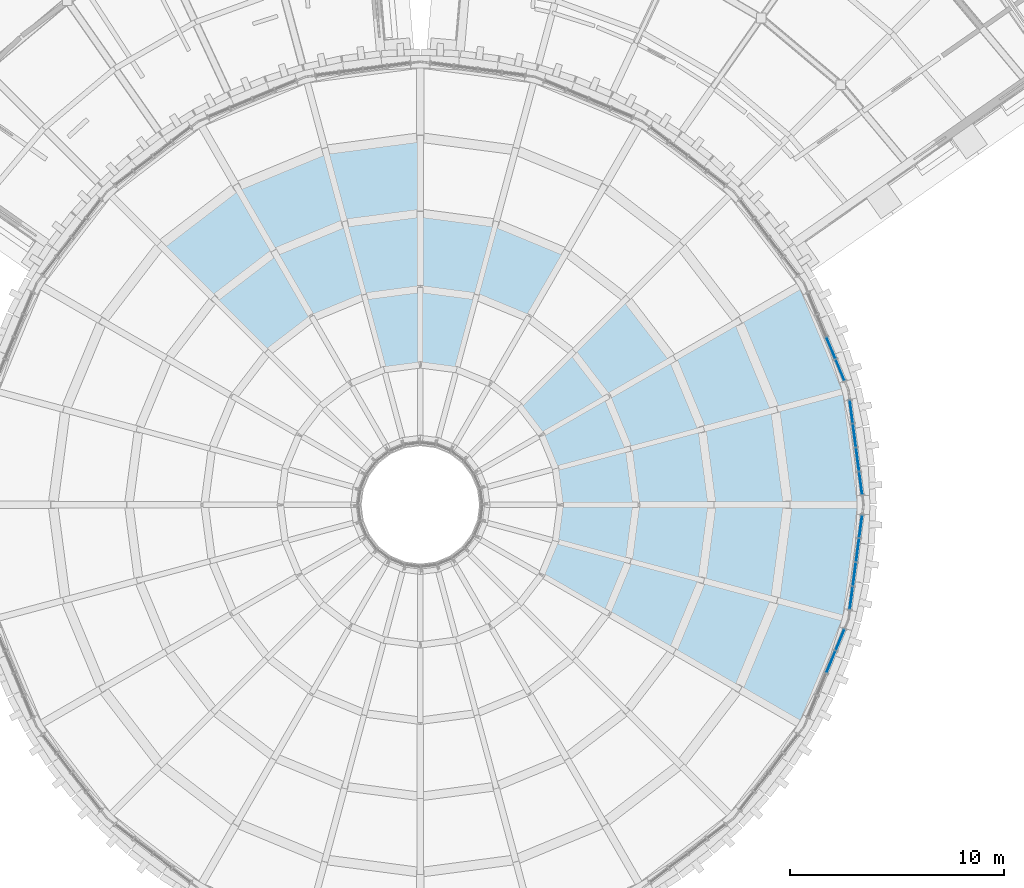
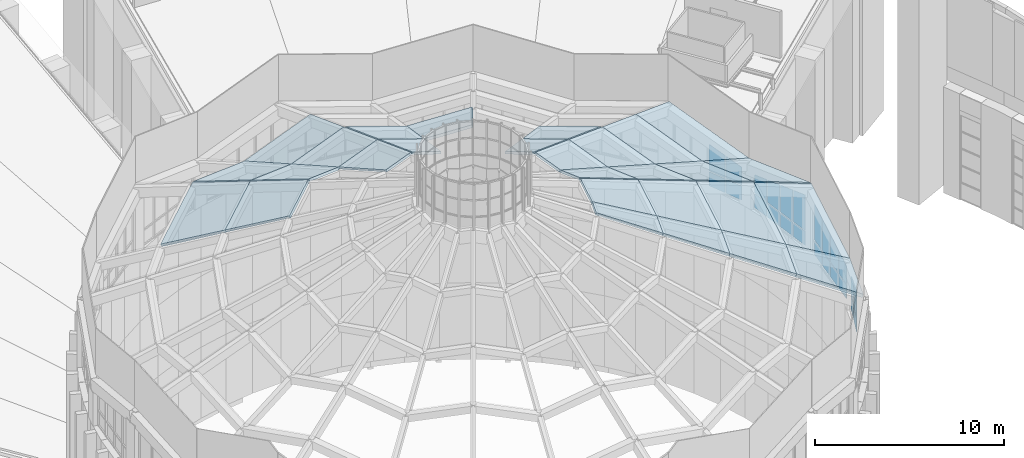
# One storey, part 43 of 82: 28 slabs, 24 plates, 5 elements without a shape of their own.
"""IFC4 building model written with IfcOpenShell, lengths in metres."""

from ifc_helpers import new_model, si_unit, direction, frame, origin, origin_2d, place, context, subcontext, project, spatial, polyline, rectangle, outline, extrude, material, layer, layer_set, type_object, element, aggregate, save


model = new_model("IFC4")

# Units and contexts
model_context = context("Model", 3, precision=1e-05, world=origin(), true_north=direction((0.0, 1.0)))
body_context = subcontext(model_context, "Body", "Model", "MODEL_VIEW")
ifc_project = project(units=[si_unit("LENGTHUNIT", "METRE"), si_unit("AREAUNIT", "SQUARE_METRE"), si_unit("VOLUMEUNIT", "CUBIC_METRE"), si_unit("PLANEANGLEUNIT", "RADIAN"), si_unit("MASSUNIT", "GRAM", prefix="KILO")], contexts=[model_context])

# Site, building, storey
site_placement = place(None, origin())
site = spatial("IfcSite", under=ifc_project, at=site_placement, CompositionType="ELEMENT")
building_placement = place(site_placement, origin())
building = spatial("IfcBuilding", under=site, at=building_placement, Name="Volute Hill Aquarium", CompositionType="ELEMENT")
storey_placement = place(building_placement, frame((0.0, 0.0, 13.800048828125)))
storey = spatial("IfcBuildingStorey", under=building, at=storey_placement, Name="L04", CompositionType="ELEMENT", Elevation=13.800048828125)

# Curtain wall, plates
ifc_material_1 = material(Name="Aluminium", Category="aluminium")
ifc_layer_1 = layer(ifc_material_1, 0.219970703125)
ifc_layer_set_1 = layer_set([ifc_layer_1], Name="Curtain wall DR clerestory module 1134")
curtain_wall_type = type_object("IfcCurtainWallType", Name="Curtain wall DR clerestory module 1134", PredefinedType="NOTDEFINED", material=ifc_layer_set_1)
curtain_wall_1_placement = place(storey_placement, origin())
curtain_wall_1 = element("IfcCurtainWall", 1, at=curtain_wall_1_placement, inside=storey, type_object=curtain_wall_type, Name="Curtain wall CW DR clerestory c00", PredefinedType="NOTDEFINED")
ifc_material_2 = material(Name="Glass, low-iron laminated", Category="glass")
ifc_layer_2 = layer(ifc_material_2, 0.035888671875)
ifc_layer_set_2 = layer_set([ifc_layer_2], Name="Curtain wall glass panel clerestory 36")
plate_type = type_object("IfcPlateType", Name="Curtain wall glass panel clerestory 36", PredefinedType="CURTAIN_PANEL", material=ifc_layer_set_2)
plate_1_placement = place(storey_placement, frame((20.567138671875, 1.009765625, 13.77001953125), z_axis=(0.0, 0.0, 1.0), x_axis=(-0.130518657667, 0.991445853287, 0.0)))
plate_1 = element("IfcPlate", 2, at=plate_1_placement, type_object=plate_type, Name="Panel DR clerestory 1.1", PredefinedType="CURTAIN_PANEL", context=body_context, shape_type="SweptSolid", body=[
    extrude(rectangle(XDim=1.029052734375, YDim=0.035888671875, at=origin_2d()), origin(), (0.0, 0.0, 1.0), 0.89501953125),
])
plate_2_placement = place(storey_placement, frame((20.652099609375, 0.501953125, 14.73486328125), z_axis=(0.991450257528, 0.130485197808, 0.0), x_axis=(-0.130485197808, 0.991450257528, 0.0)))
plate_2 = element("IfcPlate", 3, at=plate_2_placement, type_object=plate_type, Name="Panel DR clerestory 1.2", PredefinedType="CURTAIN_PANEL", context=body_context, shape_type="SweptSolid", body=[
    extrude(outline(polyline([(0.0, 0.0), (1.0290618859876277, 0.0), (1.0290618859876277, 2.0251464843750004), (0.0, 2.2917480468750004), (0.0, 0.0)])), origin(), (0.0, 0.0, -1.0), 0.035888671875),
])
plate_3_placement = place(storey_placement, frame((20.42138671875, 2.11669921875, 13.77001953125), z_axis=(0.0, 0.0, 1.0), x_axis=(-0.130518657667, 0.991445853287, 0.0)))
plate_3 = element("IfcPlate", 4, at=plate_3_placement, type_object=plate_type, Name="Panel DR clerestory 2.1", PredefinedType="CURTAIN_PANEL", context=body_context, shape_type="SweptSolid", body=[
    extrude(rectangle(XDim=1.06396484375, YDim=0.035888671875, at=origin_2d()), origin(), (0.0, 0.0, 1.0), 0.89501953125),
])
plate_4_placement = place(storey_placement, frame((20.508544921875, 1.591552734375, 14.73486328125), z_axis=(0.991441014026, 0.1305554124, 0.0), x_axis=(-0.1305554124, 0.991441014026, 0.0)))
plate_4 = element("IfcPlate", 5, at=plate_4_placement, type_object=plate_type, Name="Panel DR clerestory 2.2", PredefinedType="CURTAIN_PANEL", context=body_context, shape_type="SweptSolid", body=[
    extrude(outline(polyline([(0.0, 0.0), (1.0640387332183352, 0.0), (1.0640387332183352, 1.7314453125), (0.0, 2.007080078125), (0.0, 0.0)])), origin(), (0.0, 0.0, -1.0), 0.035888671875),
])
plate_5_placement = place(storey_placement, frame((20.2734375, 3.240966796875, 13.77001953125), z_axis=(0.0, 0.0, 1.0), x_axis=(-0.130518657667, 0.991445853287, 0.0)))
plate_5 = element("IfcPlate", 6, at=plate_5_placement, type_object=plate_type, Name="Panel DR clerestory 3.1", PredefinedType="CURTAIN_PANEL", context=body_context, shape_type="SweptSolid", body=[
    extrude(rectangle(XDim=1.06396484375, YDim=0.035888671875, at=origin_2d()), origin(), (0.0, 0.0, 1.0), 0.89501953125),
])
plate_6_placement = place(storey_placement, frame((20.360595703125, 2.7158203125, 14.73486328125), z_axis=(0.991441014026, 0.1305554124, 0.0), x_axis=(-0.1305554124, 0.991441014026, 0.0)))
plate_6 = element("IfcPlate", 7, at=plate_6_placement, type_object=plate_type, Name="Panel DR clerestory 3.2", PredefinedType="CURTAIN_PANEL", context=body_context, shape_type="SweptSolid", body=[
    extrude(outline(polyline([(0.0, 0.0), (1.0640387332183354, 0.0), (1.0640387332183354, 1.437744140625), (0.0, 1.71337890625), (0.0, 0.0)])), origin(), (0.0, 0.0, -1.0), 0.035888671875),
])
plate_7_placement = place(storey_placement, frame((20.127685546875, 4.347900390625, 13.77001953125), z_axis=(0.0, 0.0, 1.0), x_axis=(-0.130518657667, 0.991445853287, 0.0)))
plate_7 = element("IfcPlate", 8, at=plate_7_placement, type_object=plate_type, Name="Panel DR clerestory 4.1", PredefinedType="CURTAIN_PANEL", context=body_context, shape_type="SweptSolid", body=[
    extrude(rectangle(XDim=1.029052734375, YDim=0.035888671875, at=origin_2d()), origin(), (0.0, 0.0, 1.0), 0.89501953125),
])
plate_8_placement = place(storey_placement, frame((20.212646484375, 3.84033203125, 14.73486328125), z_axis=(0.991446216664, 0.130515897359, 0.0), x_axis=(-0.130515897359, 0.991446216664, 0.0)))
plate_8 = element("IfcPlate", 9, at=plate_8_placement, type_object=plate_type, Name="Panel DR clerestory 4.2", PredefinedType="CURTAIN_PANEL", context=body_context, shape_type="SweptSolid", body=[
    extrude(outline(polyline([(0.0, 0.0), (1.02881983319531, 0.0), (1.02881983319531, 1.15283203125), (0.0, 1.41943359375), (0.0, 0.0)])), origin(), (0.0, 0.0, -1.0), 0.035888671875),
])
aggregate(curtain_wall_1, [plate_1, plate_2, plate_3, plate_4, plate_5, plate_6, plate_7, plate_8])

curtain_wall_2_placement = place(storey_placement, origin())
curtain_wall_2 = element("IfcCurtainWall", 10, at=curtain_wall_2_placement, inside=storey, type_object=curtain_wall_type, Name="Curtain wall CW DR clerestory c01", PredefinedType="NOTDEFINED")
plate_9_placement = place(storey_placement, frame((19.60498046875, 6.29833984375, 13.77001953125), z_axis=(0.0, 0.0, 1.0), x_axis=(-0.382696102118, 0.923874284426, 0.0)))
plate_9 = element("IfcPlate", 11, at=plate_9_placement, type_object=plate_type, Name="Panel DR clerestory 1.1", PredefinedType="CURTAIN_PANEL", context=body_context, shape_type="SweptSolid", body=[
    extrude(rectangle(XDim=1.029052734375, YDim=0.035888671875, at=origin_2d()), origin(), (0.0, 0.0, 1.0), 0.89501953125),
])
plate_10_placement = place(storey_placement, frame((19.818359375, 5.830078125, 14.73486328125), z_axis=(0.923840379293, 0.382777942923, 0.0), x_axis=(-0.382777942923, 0.923840379293, 0.0)))
plate_10 = element("IfcPlate", 12, at=plate_10_placement, type_object=plate_type, Name="Panel DR clerestory 1.2", PredefinedType="CURTAIN_PANEL", context=body_context, shape_type="SweptSolid", body=[
    extrude(outline(polyline([(0.0, 0.0), (1.0287918502248996, 0.0), (1.0287918502248996, 1.41943359375), (0.0, 1.15283203125), (0.0, 0.0)])), origin(), (0.0, 0.0, -1.0), 0.035888671875),
])
plate_11_placement = place(storey_placement, frame((19.177734375, 7.330078125, 13.77001953125), z_axis=(0.0, 0.0, 1.0), x_axis=(-0.382696102118, 0.923874284426, 0.0)))
plate_11 = element("IfcPlate", 13, at=plate_11_placement, type_object=plate_type, Name="Panel DR clerestory 2.1", PredefinedType="CURTAIN_PANEL", context=body_context, shape_type="SweptSolid", body=[
    extrude(rectangle(XDim=1.06396484375, YDim=0.035888671875, at=origin_2d()), origin(), (0.0, 0.0, 1.0), 0.89501953125),
])
plate_12_placement = place(storey_placement, frame((19.39794921875, 6.84521484375, 14.73486328125), z_axis=(0.923882616045, 0.382675987972, 0.0), x_axis=(-0.382675987972, 0.923882616045, 0.0)))
plate_12 = element("IfcPlate", 14, at=plate_12_placement, type_object=plate_type, Name="Panel DR clerestory 2.2", PredefinedType="CURTAIN_PANEL", context=body_context, shape_type="SweptSolid", body=[
    extrude(outline(polyline([(0.0, 0.0), (1.064154990905621, 0.0), (1.064154990905621, 1.7133789062500004), (0.0, 1.4377441406250002), (0.0, 0.0)])), origin(), (0.0, 0.0, -1.0), 0.035888671875),
])
aggregate(curtain_wall_2, [plate_9, plate_10, plate_11, plate_12])

curtain_wall_3_placement = place(storey_placement, origin())
curtain_wall_3 = element("IfcCurtainWall", 15, at=curtain_wall_3_placement, inside=storey, type_object=curtain_wall_type, Name="Curtain wall CW DR clerestory c22", PredefinedType="NOTDEFINED")
plate_13_placement = place(storey_placement, frame((19.177734375, -7.330078125, 13.77001953125), z_axis=(0.0, 0.0, 1.0), x_axis=(0.382696102118, 0.923874284426, 0.0)))
plate_13 = element("IfcPlate", 16, at=plate_13_placement, type_object=plate_type, Name="Panel DR clerestory 3.1", PredefinedType="CURTAIN_PANEL", context=body_context, shape_type="SweptSolid", body=[
    extrude(rectangle(XDim=1.06396484375, YDim=0.035888671875, at=origin_2d()), origin(), (0.0, 0.0, 1.0), 0.89501953125),
])
plate_14_placement = place(storey_placement, frame((18.99072265625, -7.828369140625, 14.73486328125), z_axis=(0.923882616045, -0.382675987972, 0.0), x_axis=(0.382675987972, 0.923882616045, 0.0)))
plate_14 = element("IfcPlate", 17, at=plate_14_placement, type_object=plate_type, Name="Panel DR clerestory 3.2", PredefinedType="CURTAIN_PANEL", context=body_context, shape_type="SweptSolid", body=[
    extrude(outline(polyline([(0.0, 0.0), (1.064154990905621, 0.0), (1.064154990905621, 1.4377441406250002), (0.0, 1.7133789062500004), (0.0, 0.0)])), origin(), (0.0, 0.0, -1.0), 0.035888671875),
])
plate_15_placement = place(storey_placement, frame((19.60498046875, -6.29833984375, 13.77001953125), z_axis=(0.0, 0.0, 1.0), x_axis=(0.382696102118, 0.923874284426, 0.0)))
plate_15 = element("IfcPlate", 18, at=plate_15_placement, type_object=plate_type, Name="Panel DR clerestory 4.1", PredefinedType="CURTAIN_PANEL", context=body_context, shape_type="SweptSolid", body=[
    extrude(rectangle(XDim=1.029052734375, YDim=0.035888671875, at=origin_2d()), origin(), (0.0, 0.0, 1.0), 0.89501953125),
])
plate_16_placement = place(storey_placement, frame((19.424560546875, -6.780517578125, 14.73486328125), z_axis=(0.923840379293, -0.382777942923, 0.0), x_axis=(0.382777942923, 0.923840379293, 0.0)))
plate_16 = element("IfcPlate", 19, at=plate_16_placement, type_object=plate_type, Name="Panel DR clerestory 4.2", PredefinedType="CURTAIN_PANEL", context=body_context, shape_type="SweptSolid", body=[
    extrude(outline(polyline([(0.0, 0.0), (1.0287918502248996, 0.0), (1.0287918502248996, 1.15283203125), (0.0, 1.41943359375), (0.0, 0.0)])), origin(), (0.0, 0.0, -1.0), 0.035888671875),
])
aggregate(curtain_wall_3, [plate_13, plate_14, plate_15, plate_16])

curtain_wall_4_placement = place(storey_placement, origin())
curtain_wall_4 = element("IfcCurtainWall", 20, at=curtain_wall_4_placement, inside=storey, type_object=curtain_wall_type, Name="Curtain wall CW DR clerestory c23", PredefinedType="NOTDEFINED")
plate_17_placement = place(storey_placement, frame((20.127685546875, -4.347900390625, 13.77001953125), z_axis=(0.0, 0.0, 1.0), x_axis=(0.130518657667, 0.991445853287, 0.0)))
plate_17 = element("IfcPlate", 21, at=plate_17_placement, type_object=plate_type, Name="Panel DR clerestory 1.1", PredefinedType="CURTAIN_PANEL", context=body_context, shape_type="SweptSolid", body=[
    extrude(rectangle(XDim=1.029052734375, YDim=0.035888671875, at=origin_2d()), origin(), (0.0, 0.0, 1.0), 0.89501953125),
])
plate_18_placement = place(storey_placement, frame((20.078369140625, -4.8603515625, 14.73486328125), z_axis=(0.991446216664, -0.130515897359, 0.0), x_axis=(0.130515897359, 0.991446216664, 0.0)))
plate_18 = element("IfcPlate", 22, at=plate_18_placement, type_object=plate_type, Name="Panel DR clerestory 1.2", PredefinedType="CURTAIN_PANEL", context=body_context, shape_type="SweptSolid", body=[
    extrude(outline(polyline([(0.0, 0.0), (1.02881983319531, 0.0), (1.02881983319531, 1.41943359375), (0.0, 1.15283203125), (0.0, 0.0)])), origin(), (0.0, 0.0, -1.0), 0.035888671875),
])
plate_19_placement = place(storey_placement, frame((20.2734375, -3.240966796875, 13.77001953125), z_axis=(0.0, 0.0, 1.0), x_axis=(0.130518657667, 0.991445853287, 0.0)))
plate_19 = element("IfcPlate", 23, at=plate_19_placement, type_object=plate_type, Name="Panel DR clerestory 2.1", PredefinedType="CURTAIN_PANEL", context=body_context, shape_type="SweptSolid", body=[
    extrude(rectangle(XDim=1.06396484375, YDim=0.035888671875, at=origin_2d()), origin(), (0.0, 0.0, 1.0), 0.89501953125),
])
plate_20_placement = place(storey_placement, frame((20.2216796875, -3.770751953125, 14.73486328125), z_axis=(0.991441014026, -0.1305554124, 0.0), x_axis=(0.1305554124, 0.991441014026, 0.0)))
plate_20 = element("IfcPlate", 24, at=plate_20_placement, type_object=plate_type, Name="Panel DR clerestory 2.2", PredefinedType="CURTAIN_PANEL", context=body_context, shape_type="SweptSolid", body=[
    extrude(outline(polyline([(0.0, 0.0), (1.0640387332183354, 0.0), (1.0640387332183354, 1.71337890625), (0.0, 1.437744140625), (0.0, 0.0)])), origin(), (0.0, 0.0, -1.0), 0.035888671875),
])
plate_21_placement = place(storey_placement, frame((20.42138671875, -2.11669921875, 13.77001953125), z_axis=(0.0, 0.0, 1.0), x_axis=(0.130518657667, 0.991445853287, 0.0)))
plate_21 = element("IfcPlate", 25, at=plate_21_placement, type_object=plate_type, Name="Panel DR clerestory 3.1", PredefinedType="CURTAIN_PANEL", context=body_context, shape_type="SweptSolid", body=[
    extrude(rectangle(XDim=1.06396484375, YDim=0.035888671875, at=origin_2d()), origin(), (0.0, 0.0, 1.0), 0.89501953125),
])
plate_22_placement = place(storey_placement, frame((20.36962890625, -2.646484375, 14.73486328125), z_axis=(0.991441014026, -0.1305554124, 0.0), x_axis=(0.1305554124, 0.991441014026, 0.0)))
plate_22 = element("IfcPlate", 26, at=plate_22_placement, type_object=plate_type, Name="Panel DR clerestory 3.2", PredefinedType="CURTAIN_PANEL", context=body_context, shape_type="SweptSolid", body=[
    extrude(outline(polyline([(0.0, 0.0), (1.0640387332183352, 0.0), (1.0640387332183352, 2.007080078125), (0.0, 1.7314453125), (0.0, 0.0)])), origin(), (0.0, 0.0, -1.0), 0.035888671875),
])
plate_23_placement = place(storey_placement, frame((20.567138671875, -1.009765625, 13.77001953125), z_axis=(0.0, 0.0, 1.0), x_axis=(0.130518657667, 0.991445853287, 0.0)))
plate_23 = element("IfcPlate", 27, at=plate_23_placement, type_object=plate_type, Name="Panel DR clerestory 4.1", PredefinedType="CURTAIN_PANEL", context=body_context, shape_type="SweptSolid", body=[
    extrude(rectangle(XDim=1.029052734375, YDim=0.035888671875, at=origin_2d()), origin(), (0.0, 0.0, 1.0), 0.89501953125),
])
plate_24_placement = place(storey_placement, frame((20.517822265625, -1.522216796875, 14.73486328125), z_axis=(0.991450257528, -0.130485197808, 0.0), x_axis=(0.130485197808, 0.991450257528, 0.0)))
plate_24 = element("IfcPlate", 28, at=plate_24_placement, type_object=plate_type, Name="Panel DR clerestory 4.2", PredefinedType="CURTAIN_PANEL", context=body_context, shape_type="SweptSolid", body=[
    extrude(outline(polyline([(0.0, 0.0), (1.0290618859876277, 0.0), (1.0290618859876277, 2.2917480468750004), (0.0, 2.0251464843750004), (0.0, 0.0)])), origin(), (0.0, 0.0, -1.0), 0.035888671875),
])
aggregate(curtain_wall_4, [plate_17, plate_18, plate_19, plate_20, plate_21, plate_22, plate_23, plate_24])

# Roof, slabs
roof_placement = place(storey_placement, origin())
roof = element("IfcRoof", 29, at=roof_placement, inside=storey, Name="Folded dome shell roof", PredefinedType="DOME_ROOF")
ifc_material_3 = material(Name="Concrete C40/50", Category="concrete")
ifc_layer_3 = layer(ifc_material_3, 0.139892578125)
ifc_layer_set_3 = layer_set([ifc_layer_3], Name="Dome shell plate C40/50 140")
slab_type_1 = type_object("IfcSlabType", Name="Dome shell plate C40/50 140", PredefinedType="ROOF", material=ifc_layer_set_3)
slab_1_placement = place(storey_placement, frame((10.07568359375, 0.04296875, 22.04833984375), z_axis=(0.335474097256, 0.279266177282, 0.899704135978), x_axis=(-0.126820128678, 0.959744160327, -0.250614847286)))
slab_1 = element("IfcSlab", 30, at=slab_1_placement, type_object=slab_type_1, Name="Dome shell plate 4.1", PredefinedType="ROOF", context=body_context, shape_type="SweptSolid", body=[
    extrude(outline(polyline([(0.0, 0.0), (2.6735844823172137, 5.551115123125783e-17), (1.8370110555831625, 3.7768323370060926), (0.11818066440590841, 3.7762211062591917), (0.0, 0.0)])), origin(), (0.0, 0.0, -1.0), 0.139892578125),
])
slab_2_placement = place(storey_placement, frame((9.736572265625, 2.60888671875, 21.378173828125), z_axis=(0.430150039954, -0.074106409516, 0.899710610806), x_axis=(-0.370056925563, 0.89456931387, 0.25060649338)))
slab_2 = element("IfcSlab", 31, at=slab_2_placement, type_object=slab_type_1, Name="Dome shell plate 4.2", PredefinedType="ROOF", context=body_context, shape_type="SweptSolid", body=[
    extrude(outline(polyline([(0.0, 0.0), (2.6734830286582674, -5.551115123125783e-17), (2.555616968645844, 3.7762417093378122), (0.8365656602037538, 3.77683405495248), (0.0, 0.0)])), origin(), (0.0, 0.0, -1.0), 0.139892578125),
])
slab_3_placement = place(storey_placement, frame((8.704345703125, 5.074951171875, 22.04833984375), z_axis=(0.150917160654, 0.409571955492, 0.899708188189), x_axis=(-0.589682321643, 0.767773001723, -0.250598039431)))
slab_3 = element("IfcSlab", 32, at=slab_3_placement, type_object=slab_type_1, Name="Dome shell plate 4.3", PredefinedType="ROOF", context=body_context, shape_type="SweptSolid", body=[
    extrude(outline(polyline([(0.0, 0.0), (2.6737049438225817, -1.1102230246251565e-16), (1.8370877517449506, 3.7767829745275465), (0.11805509013953114, 3.776152023033233), (0.0, 0.0)])), origin(), (0.0, 0.0, -1.0), 0.139892578125),
])
slab_4_placement = place(storey_placement, frame((2.60888671875, 9.736572265625, 21.378173828125), z_axis=(0.279266177282, 0.335474097256, 0.899704135978), x_axis=(-0.959744160327, 0.126820128678, 0.250614847286)))
slab_4 = element("IfcSlab", 33, at=slab_4_placement, type_object=slab_type_1, Name="Dome shell plate 4.6", PredefinedType="ROOF", context=body_context, shape_type="SweptSolid", body=[
    extrude(outline(polyline([(0.0, 0.0), (2.6735844823172137, -5.551115123125783e-17), (2.555403817911305, 3.7762211062591913), (0.8365734267340508, 3.776832337006092), (0.0, 0.0)])), origin(), (0.0, 0.0, -1.0), 0.139892578125),
])
slab_5_placement = place(storey_placement, frame((-0.04296875, 10.07568359375, 22.04833984375), z_axis=(-0.279266177282, 0.335474097256, 0.899704135978), x_axis=(-0.959744160327, -0.126820128678, -0.250614847286)))
slab_5 = element("IfcSlab", 34, at=slab_5_placement, type_object=slab_type_1, Name="Dome shell plate 4.7", PredefinedType="ROOF", context=body_context, shape_type="SweptSolid", body=[
    extrude(outline(polyline([(0.0, 0.0), (2.6735844823172137, 5.551115123125783e-17), (1.8370110555831625, 3.7768323370060926), (0.11818066440590841, 3.7762211062591917), (0.0, 0.0)])), origin(), (0.0, 0.0, -1.0), 0.139892578125),
])
slab_6_placement = place(storey_placement, frame((8.747314453125, -5.00048828125, 22.04833984375), z_axis=(0.430150039954, 0.074106409516, 0.899710610806), x_axis=(0.370056925563, 0.89456931387, -0.25060649338)))
slab_6 = element("IfcSlab", 35, at=slab_6_placement, type_object=slab_type_1, Name="Dome shell plate 4.23", PredefinedType="ROOF", context=body_context, shape_type="SweptSolid", body=[
    extrude(outline(polyline([(0.0, 0.0), (2.6734830286582674, 5.551115123125783e-17), (1.8369173684545137, 3.77683405495248), (0.11786606001242378, 3.7762417093378122), (0.0, 0.0)])), origin(), (0.0, 0.0, -1.0), 0.139892578125),
])
slab_7_placement = place(storey_placement, frame((9.736572265625, -2.60888671875, 21.378173828125), z_axis=(0.335474097256, -0.279266177282, 0.899704135978), x_axis=(0.126820128678, 0.959744160327, 0.250614847286)))
slab_7 = element("IfcSlab", 36, at=slab_7_placement, type_object=slab_type_1, Name="Dome shell plate 4.24", PredefinedType="ROOF", context=body_context, shape_type="SweptSolid", body=[
    extrude(outline(polyline([(0.0, 0.0), (2.6735844823172137, -5.551115123125783e-17), (2.555403817911305, 3.7762211062591913), (0.8365734267340508, 3.776832337006092), (0.0, 0.0)])), origin(), (0.0, 0.0, -1.0), 0.139892578125),
])
ifc_material_4 = material(Name="Concrete C40/50", Category="concrete")
ifc_layer_4 = layer(ifc_material_4, 0.159912109375)
ifc_layer_set_4 = layer_set([ifc_layer_4], Name="Dome shell plate C40/50 160")
slab_type_2 = type_object("IfcSlabType", Name="Dome shell plate C40/50 160", PredefinedType="ROOF", material=ifc_layer_set_4)
slab_8_placement = place(storey_placement, frame((13.614990234375, 0.048583984375, 20.726806640625), z_axis=(0.335457333661, 0.279264468001, 0.89971091702), x_axis=(-0.126709346415, 0.959748043462, -0.250656008511)))
slab_8 = element("IfcSlab", 37, at=slab_8_placement, type_object=slab_type_2, Name="Dome shell plate 3.1", PredefinedType="ROOF", context=body_context, shape_type="SweptSolid", body=[
    extrude(outline(polyline([(0.0, 0.0), (3.6223670424331416, -5.551115123125783e-17), (2.78540824663535, 3.7766461502897553), (0.11770323038467051, 3.776007151315561), (0.0, 0.0)])), origin(), (0.0, 0.0, -1.0), 0.159912109375),
])
slab_9_placement = place(storey_placement, frame((13.156005859375, 3.525146484375, 19.81884765625), z_axis=(0.430136933287, -0.074111146149, 0.899716486811), x_axis=(-0.370157422167, 0.894516149821, 0.25064784165)))
slab_9 = element("IfcSlab", 38, at=slab_9_placement, type_object=slab_type_2, Name="Dome shell plate 3.2", PredefinedType="ROOF", context=body_context, shape_type="SweptSolid", body=[
    extrude(outline(polyline([(0.0, 0.0), (3.6223345278476553, 5.551115123125783e-17), (3.504834872587643, 3.7760549191068526), (0.8369613059590846, 3.7766455938804473), (0.0, 0.0)])), origin(), (0.0, 0.0, -1.0), 0.159912109375),
])
slab_10_placement = place(storey_placement, frame((11.766845703125, 6.849609375, 20.726806640625), z_axis=(0.150875828039, 0.409570817127, 0.899715638561), x_axis=(-0.589649337697, 0.767786651978, -0.25063382772)))
slab_10 = element("IfcSlab", 39, at=slab_10_placement, type_object=slab_type_2, Name="Dome shell plate 3.3", PredefinedType="ROOF", context=body_context, shape_type="SweptSolid", body=[
    extrude(outline(polyline([(0.0, 0.0), (3.6224547851898223, 3.3306690738754696e-16), (2.785726235148326, 3.77665749949081), (0.11802653401013219, 3.7763511270510377), (0.0, 0.0)])), origin(), (0.0, 0.0, -1.0), 0.159912109375),
])
slab_11_placement = place(storey_placement, frame((6.765380859375, 11.815185546875, 20.726806640625), z_axis=(-0.074111146149, 0.430136933287, 0.899716486811), x_axis=(-0.894516149821, 0.370157422167, -0.25064784165)))
slab_11 = element("IfcSlab", 40, at=slab_11_placement, type_object=slab_type_2, Name="Dome shell plate 3.5", PredefinedType="ROOF", context=body_context, shape_type="SweptSolid", body=[
    extrude(outline(polyline([(0.0, 0.0), (3.6223345278476553, -5.551115123125783e-17), (2.7853732218885705, 3.7766455938804473), (0.11749965526001205, 3.776054919106853), (0.0, 0.0)])), origin(), (0.0, 0.0, -1.0), 0.159912109375),
])
slab_12_placement = place(storey_placement, frame((3.525146484375, 13.156005859375, 19.81884765625), z_axis=(0.279264468001, 0.335457333661, 0.89971091702), x_axis=(-0.959748043462, 0.126709346415, 0.250656008511)))
slab_12 = element("IfcSlab", 41, at=slab_12_placement, type_object=slab_type_2, Name="Dome shell plate 3.6", PredefinedType="ROOF", context=body_context, shape_type="SweptSolid", body=[
    extrude(outline(polyline([(0.0, 0.0), (3.6223670424331416, 5.551115123125783e-17), (3.504663812048471, 3.776007151315561), (0.8369587957977916, 3.7766461502897553), (0.0, 0.0)])), origin(), (0.0, 0.0, -1.0), 0.159912109375),
])
slab_13_placement = place(storey_placement, frame((-0.048583984375, 13.614990234375, 20.726806640625), z_axis=(-0.279264468001, 0.335457333661, 0.89971091702), x_axis=(-0.959748043462, -0.126709346415, -0.250656008511)))
slab_13 = element("IfcSlab", 42, at=slab_13_placement, type_object=slab_type_2, Name="Dome shell plate 3.7", PredefinedType="ROOF", context=body_context, shape_type="SweptSolid", body=[
    extrude(outline(polyline([(0.0, 0.0), (3.6223670424331416, -5.551115123125783e-17), (2.78540824663535, 3.7766461502897553), (0.11770323038467051, 3.776007151315561), (0.0, 0.0)])), origin(), (0.0, 0.0, -1.0), 0.159912109375),
])
slab_14_placement = place(storey_placement, frame((-3.525146484375, 13.156005859375, 19.81884765625), z_axis=(0.074111146149, 0.430136933287, 0.899716486811), x_axis=(-0.894516149821, -0.370157422167, 0.25064784165)))
slab_14 = element("IfcSlab", 43, at=slab_14_placement, type_object=slab_type_2, Name="Dome shell plate 3.8", PredefinedType="ROOF", context=body_context, shape_type="SweptSolid", body=[
    extrude(outline(polyline([(0.0, 0.0), (3.6223345278476553, 5.551115123125783e-17), (3.504834872587643, 3.7760549191068526), (0.8369613059590846, 3.7766455938804473), (0.0, 0.0)])), origin(), (0.0, 0.0, -1.0), 0.159912109375),
])
slab_15_placement = place(storey_placement, frame((-6.849609375, 11.766845703125, 20.726806640625), z_axis=(-0.409570817127, 0.150875828039, 0.899715638561), x_axis=(-0.767786651978, -0.589649337697, -0.25063382772)))
slab_15 = element("IfcSlab", 44, at=slab_15_placement, type_object=slab_type_2, Name="Dome shell plate 3.9", PredefinedType="ROOF", context=body_context, shape_type="SweptSolid", body=[
    extrude(outline(polyline([(0.0, 0.0), (3.6224547851898223, 3.3306690738754696e-16), (2.785726235148326, 3.77665749949081), (0.11802653401013219, 3.7763511270510377), (0.0, 0.0)])), origin(), (0.0, 0.0, -1.0), 0.159912109375),
])
slab_16_placement = place(storey_placement, frame((11.815185546875, -6.765380859375, 20.726806640625), z_axis=(0.430136933287, 0.074111146149, 0.899716486811), x_axis=(0.370157422167, 0.894516149821, -0.25064784165)))
slab_16 = element("IfcSlab", 45, at=slab_16_placement, type_object=slab_type_2, Name="Dome shell plate 3.23", PredefinedType="ROOF", context=body_context, shape_type="SweptSolid", body=[
    extrude(outline(polyline([(0.0, 0.0), (3.6223345278476553, -5.551115123125783e-17), (2.7853732218885705, 3.7766455938804473), (0.11749965526001205, 3.776054919106853), (0.0, 0.0)])), origin(), (0.0, 0.0, -1.0), 0.159912109375),
])
slab_17_placement = place(storey_placement, frame((13.156005859375, -3.525146484375, 19.81884765625), z_axis=(0.335457333661, -0.279264468001, 0.89971091702), x_axis=(0.126709346415, 0.959748043462, 0.250656008511)))
slab_17 = element("IfcSlab", 46, at=slab_17_placement, type_object=slab_type_2, Name="Dome shell plate 3.24", PredefinedType="ROOF", context=body_context, shape_type="SweptSolid", body=[
    extrude(outline(polyline([(0.0, 0.0), (3.6223670424331416, 5.551115123125783e-17), (3.504663812048471, 3.776007151315561), (0.8369587957977916, 3.7766461502897553), (0.0, 0.0)])), origin(), (0.0, 0.0, -1.0), 0.159912109375),
])
ifc_material_5 = material(Name="Concrete C40/50", Category="concrete")
ifc_layer_5 = layer(ifc_material_5, 0.179931640625)
ifc_layer_set_5 = layer_set([ifc_layer_5], Name="Dome shell plate C40/50 180")
slab_type_3 = type_object("IfcSlabType", Name="Dome shell plate C40/50 180", PredefinedType="ROOF", material=ifc_layer_set_5)
slab_18_placement = place(storey_placement, frame((17.154541015625, 0.05419921875, 19.4052734375), z_axis=(0.335503828352, 0.279300829786, 0.899682292613), x_axis=(-0.12673219192, 0.959737595486, -0.250684461707)))
slab_18 = element("IfcSlab", 47, at=slab_18_placement, type_object=slab_type_3, Name="Dome shell plate 2.1", PredefinedType="ROOF", context=body_context, shape_type="SweptSolid", body=[
    extrude(outline(polyline([(0.0, 0.0), (4.5712726917889706, 5.551115123125783e-17), (3.7342650771883736, 3.7765150978412443), (0.11771628378686672, 3.776320949152333), (0.0, 0.0)])), origin(), (0.0, 0.0, -1.0), 0.179931640625),
])
slab_19_placement = place(storey_placement, frame((16.5751953125, 4.44140625, 18.25927734375), z_axis=(0.430212586088, -0.074124350605, 0.899679226957), x_axis=(-0.370118439403, 0.894522057418, 0.250684322617)))
slab_19 = element("IfcSlab", 48, at=slab_19_placement, type_object=slab_type_3, Name="Dome shell plate 2.2", PredefinedType="ROOF", context=body_context, shape_type="SweptSolid", body=[
    extrude(outline(polyline([(0.0, 0.0), (4.571284896271191, -3.3306690738754696e-16), (4.453546238971307, 3.7762472430668894), (0.8368503211021572, 3.7765499561742835), (0.0, 0.0)])), origin(), (0.0, 0.0, -1.0), 0.179931640625),
])
slab_20_placement = place(storey_placement, frame((-0.05419921875, 17.154541015625, 19.4052734375), z_axis=(-0.279300829786, 0.335503828352, 0.899682292613), x_axis=(-0.959737595486, -0.12673219192, -0.250684461707)))
slab_20 = element("IfcSlab", 49, at=slab_20_placement, type_object=slab_type_3, Name="Dome shell plate 2.7", PredefinedType="ROOF", context=body_context, shape_type="SweptSolid", body=[
    extrude(outline(polyline([(0.0, 0.0), (4.5712726917889706, 5.551115123125783e-17), (3.7342650771883736, 3.7765150978412443), (0.11771628378686672, 3.776320949152333), (0.0, 0.0)])), origin(), (0.0, 0.0, -1.0), 0.179931640625),
])
slab_21_placement = place(storey_placement, frame((-4.44140625, 16.5751953125, 18.25927734375), z_axis=(0.074124350605, 0.430212586088, 0.899679226957), x_axis=(-0.894522057418, -0.370118439403, 0.250684322617)))
slab_21 = element("IfcSlab", 50, at=slab_21_placement, type_object=slab_type_3, Name="Dome shell plate 2.8", PredefinedType="ROOF", context=body_context, shape_type="SweptSolid", body=[
    extrude(outline(polyline([(0.0, 0.0), (4.571284896271191, -3.3306690738754696e-16), (4.453546238971307, 3.7762472430668894), (0.8368503211021572, 3.7765499561742835), (0.0, 0.0)])), origin(), (0.0, 0.0, -1.0), 0.179931640625),
])
slab_22_placement = place(storey_placement, frame((-8.6240234375, 14.8291015625, 19.4052734375), z_axis=(-0.409611973827, 0.150916530515, 0.899690075367), x_axis=(-0.767837319943, -0.589560601899, -0.250687348686)))
slab_22 = element("IfcSlab", 51, at=slab_22_placement, type_object=slab_type_3, Name="Dome shell plate 2.9", PredefinedType="ROOF", context=body_context, shape_type="SweptSolid", body=[
    extrude(outline(polyline([(0.0, 0.0), (4.571309337870088, 1.6653345369377348e-16), (3.7340871763661503, 3.7766489165209465), (0.11738901711548122, 3.776258128446943), (0.0, 0.0)])), origin(), (0.0, 0.0, -1.0), 0.179931640625),
])
slab_23_placement = place(storey_placement, frame((14.88330078125, -8.530517578125, 19.4052734375), z_axis=(0.430212586088, 0.074124350605, 0.899679226957), x_axis=(0.370118439403, 0.894522057418, -0.250684322617)))
slab_23 = element("IfcSlab", 52, at=slab_23_placement, type_object=slab_type_3, Name="Dome shell plate 2.23", PredefinedType="ROOF", context=body_context, shape_type="SweptSolid", body=[
    extrude(outline(polyline([(0.0, 0.0), (4.571284896271191, 3.3306690738754696e-16), (3.7344345751690344, 3.7765499561742835), (0.11773865729988492, 3.7762472430668894), (0.0, 0.0)])), origin(), (0.0, 0.0, -1.0), 0.179931640625),
])
slab_24_placement = place(storey_placement, frame((16.5751953125, -4.44140625, 18.25927734375), z_axis=(0.335503828352, -0.279300829786, 0.899682292613), x_axis=(0.12673219192, 0.959737595486, 0.250684461707)))
slab_24 = element("IfcSlab", 53, at=slab_24_placement, type_object=slab_type_3, Name="Dome shell plate 2.24", PredefinedType="ROOF", context=body_context, shape_type="SweptSolid", body=[
    extrude(outline(polyline([(0.0, 0.0), (4.5712726917889706, -5.551115123125783e-17), (4.453556408002104, 3.776320949152333), (0.8370076146005966, 3.7765150978412447), (0.0, 0.0)])), origin(), (0.0, 0.0, -1.0), 0.179931640625),
])
ifc_material_6 = material(Name="Concrete C40/50", Category="concrete")
ifc_layer_6 = layer(ifc_material_6, 0.199951171875)
ifc_layer_set_6 = layer_set([ifc_layer_6], Name="Dome shell plate C40/50 200")
slab_type_4 = type_object("IfcSlabType", Name="Dome shell plate C40/50 200", PredefinedType="ROOF", material=ifc_layer_set_6)
slab_25_placement = place(storey_placement, frame((20.69384765625, 0.059814453125, 18.083740234375), z_axis=(0.335445688066, 0.279270904492, 0.899713261135), x_axis=(-0.12666712471, 0.959747498472, -0.250679434127)))
slab_25 = element("IfcSlab", 54, at=slab_25_placement, type_object=slab_type_4, Name="Dome shell plate 1.1", PredefinedType="ROOF", context=body_context, shape_type="SweptSolid", body=[
    extrude(outline(polyline([(0.0, 0.0), (5.520055272130374, -1.1102230246251565e-16), (4.682916073193682, 3.7766061657673093), (0.11755378110509185, 3.776240675621362), (0.0, 0.0)])), origin(), (0.0, 0.0, -1.0), 0.199951171875),
])
slab_26_placement = place(storey_placement, frame((19.99462890625, 5.357666015625, 16.699951171875), z_axis=(0.430135517658, -0.074142092986, 0.899714613918), x_axis=(-0.370149016335, 0.894512239755, 0.250674208155)))
slab_26 = element("IfcSlab", 55, at=slab_26_placement, type_object=slab_type_4, Name="Dome shell plate 1.2", PredefinedType="ROOF", context=body_context, shape_type="SweptSolid", body=[
    extrude(outline(polyline([(0.0, 0.0), (5.5200460396927955, 0.0), (5.40243431562088, 3.776364068652713), (0.8369772593942765, 3.7766420579479334), (0.0, 0.0)])), origin(), (0.0, 0.0, -1.0), 0.199951171875),
])
slab_27_placement = place(storey_placement, frame((17.951416015625, -10.29541015625, 18.083740234375), z_axis=(0.430135517658, 0.074142092986, 0.899714613918), x_axis=(0.370149016335, 0.894512239755, -0.250674208155)))
slab_27 = element("IfcSlab", 56, at=slab_27_placement, type_object=slab_type_4, Name="Dome shell plate 1.23", PredefinedType="ROOF", context=body_context, shape_type="SweptSolid", body=[
    extrude(outline(polyline([(0.0, 0.0), (5.5200460396927955, 0.0), (4.683068780298519, 3.776642057947934), (0.11761172407191545, 3.7763640686527125), (0.0, 0.0)])), origin(), (0.0, 0.0, -1.0), 0.199951171875),
])
slab_28_placement = place(storey_placement, frame((19.99462890625, -5.357666015625, 16.699951171875), z_axis=(0.335445688066, -0.279270904492, 0.899713261135), x_axis=(0.12666712471, 0.959747498472, 0.250679434127)))
slab_28 = element("IfcSlab", 57, at=slab_28_placement, type_object=slab_type_4, Name="Dome shell plate 1.24", PredefinedType="ROOF", context=body_context, shape_type="SweptSolid", body=[
    extrude(outline(polyline([(0.0, 0.0), (5.520055272130374, 1.1102230246251565e-16), (5.402501491025283, 3.776240675621363), (0.8371391989366921, 3.776606165767309), (0.0, 0.0)])), origin(), (0.0, 0.0, -1.0), 0.199951171875),
])
aggregate(roof, [slab_25, slab_26, slab_27, slab_28, slab_18, slab_19, slab_20, slab_21, slab_22, slab_23, slab_24, slab_8, slab_9, slab_10, slab_11, slab_12, slab_13, slab_14, slab_15, slab_16, slab_17, slab_1, slab_2, slab_3, slab_4, slab_5, slab_6, slab_7])

save(model, "model.ifc")
